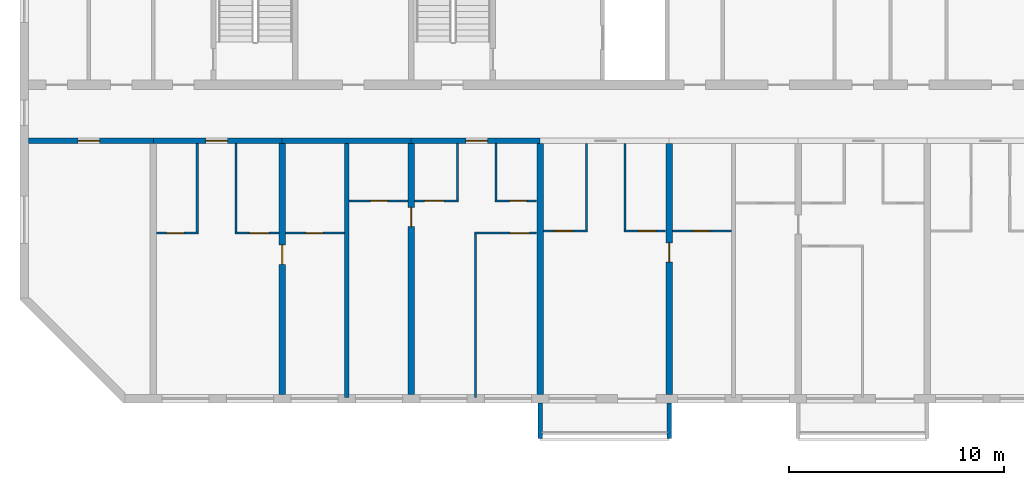
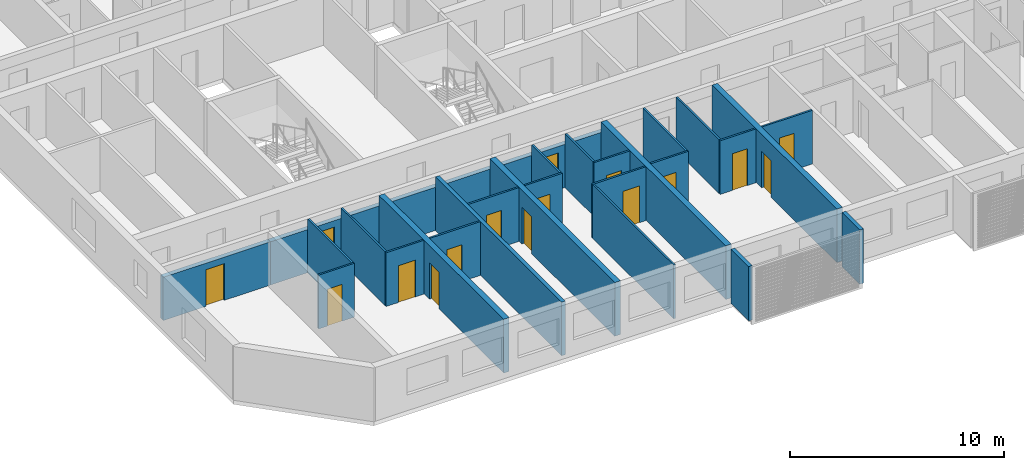
# One storey, part 2 of 32: 28 walls, 16 doors, 16 openings.
"""IFC4 building model written with IfcOpenShell, lengths in metres."""

from ifc_helpers import new_model, si_unit, direction, frame, frame_2d, origin, place, context, subcontext, project, spatial, polyline, rectangle, outline, extrude, source, transform, mapped, material, layer, layer_set, type_object, element, fill, save


model = new_model("IFC4")

# Units and contexts
model_context = context("Model", 3, precision=1e-05, world=origin(), true_north=direction((0.0, 1.0)))
body_context = subcontext(model_context, "Body", "Model", "MODEL_VIEW")
ifc_project = project(units=[si_unit("LENGTHUNIT", "METRE"), si_unit("AREAUNIT", "SQUARE_METRE"), si_unit("VOLUMEUNIT", "CUBIC_METRE"), si_unit("PLANEANGLEUNIT", "RADIAN"), si_unit("MASSUNIT", "GRAM", prefix="KILO")], contexts=[model_context])

# Site, building, storey
site_placement = place(None, origin())
site = spatial("IfcSite", under=ifc_project, at=site_placement, CompositionType="ELEMENT")
building_placement = place(site_placement, origin())
building = spatial("IfcBuilding", under=site, at=building_placement, Name="Poui Terraces", CompositionType="ELEMENT")
storey_placement = place(building_placement, frame((0.0, 0.0, 125.699951171875)))
storey = spatial("IfcBuildingStorey", under=building, at=storey_placement, Name="L34", CompositionType="ELEMENT", Elevation=125.699951171875)

# Wall, opening, door
ifc_material_1 = material(Name="Concrete 65 MPa", Category="concrete")
ifc_layer_1 = layer(ifc_material_1, 0.25)
ifc_layer_set_1 = layer_set([ifc_layer_1], Name="Concrete 65 MPa")
wall_type_1 = type_object("IfcWallType", Name="CORRIDOR WALL 250 65MPa", PredefinedType="SHEAR", material=ifc_layer_set_1)
wall_1_placement = place(storey_placement, frame((12.199951171875, 12.0, 0.0), z_axis=(0.0, 0.0, 1.0), x_axis=(1.0, 0.0, 0.0)))
wall_1 = element("IfcWall", 1, at=wall_1_placement, inside=storey, type_object=wall_type_1, Name="CORRIDOR WALL LINE B BAY 1", PredefinedType="SHEAR", context=body_context, shape_type="SweptSolid", body=[
    extrude(rectangle(XDim=5.800048828125, YDim=0.25, at=frame_2d((2.89990234375, 0.0))), origin(), (0.0, 0.0, 1.0), 2.469970703125),
])
opening_1_placement = place(wall_1_placement, frame((2.300048828125, 0.0, 0.0)))
opening_1 = element("IfcOpeningElement", 2, at=opening_1_placement, cuts=wall_1, Name="Opening D100", PredefinedType="OPENING", context=body_context, shape_type="SweptSolid", body=[
    extrude(rectangle(XDim=1.0, YDim=2.10009765625, at=frame_2d((0.5, 1.050048828125))), frame((0.0, 0.135009765625, 0.0), z_axis=(0.0, -1.0, 0.0), x_axis=(1.0, 0.0, 0.0)), (0.0, 0.0, 1.0), 0.27001953125),
])
ifc_material_2 = material(Name="Solid core timber door", Category="wood")
door_type_1 = type_object("IfcDoorType", Name="ACCESSIBLE INTERNAL DOOR 1000 X 2100", OperationType="NOTDEFINED", PredefinedType="DOOR", material=ifc_material_2)
door_1_placement = place(opening_1_placement, frame((1.0, 0.0, 0.0), z_axis=(0.0, 0.0, 1.0), x_axis=(-1.0, 0.0, 0.0)))
door_1 = element("IfcDoor", 3, at=door_1_placement, inside=storey, type_object=door_type_1, Name="ACCESSIBLE INTERNAL DOOR 078", OperationType="SINGLE_SWING_RIGHT", OverallHeight=2.10009765625, OverallWidth=1.0, PredefinedType="DOOR", context=body_context, shape_type="SweptSolid", body=[
    extrude(rectangle(XDim=1.0, YDim=2.10009765625, at=frame_2d((0.5, 1.050048828125))), frame((0.0, 0.02490234375, 0.0), z_axis=(0.0, -1.0, 0.0), x_axis=(1.0, 0.0, 0.0)), (0.0, 0.0, 1.0), 0.050048828125),
])
fill(opening_1, door_1)

wall_2_placement = place(storey_placement, frame((18.0, 12.0, 0.0), z_axis=(0.0, 0.0, 1.0), x_axis=(1.0, 0.0, 0.0)))
wall_2 = element("IfcWall", 4, at=wall_2_placement, inside=storey, type_object=wall_type_1, Name="CORRIDOR WALL LINE B BAY 2", PredefinedType="SHEAR", context=body_context, shape_type="SweptSolid", body=[
    extrude(rectangle(XDim=6.0, YDim=0.25, at=frame_2d((3.0, 0.0))), origin(), (0.0, 0.0, 1.0), 2.469970703125),
])
opening_2_placement = place(wall_2_placement, frame((2.449951171875, 0.0, 0.0)))
opening_2 = element("IfcOpeningElement", 5, at=opening_2_placement, cuts=wall_2, Name="Opening FD30S", PredefinedType="OPENING", context=body_context, shape_type="SweptSolid", body=[
    extrude(rectangle(XDim=1.0, YDim=2.10009765625, at=frame_2d((0.5, 1.050048828125))), frame((0.0, 0.135009765625, 0.0), z_axis=(0.0, -1.0, 0.0), x_axis=(1.0, 0.0, 0.0)), (0.0, 0.0, 1.0), 0.27001953125),
])
ifc_material_3 = material(Name="Steel fire door", Category="steel")
door_type_2 = type_object("IfcDoorType", Name="FLAT ENTRANCE DOOR 1000 X 2100", OperationType="NOTDEFINED", PredefinedType="DOOR", material=ifc_material_3)
door_2_placement = place(opening_2_placement, frame((1.0, 0.0, 0.0), z_axis=(0.0, 0.0, 1.0), x_axis=(-1.0, 0.0, 0.0)))
door_2 = element("IfcDoor", 6, at=door_2_placement, inside=storey, type_object=door_type_2, Name="FLAT ENTRANCE DOOR 081", OperationType="SINGLE_SWING_RIGHT", OverallHeight=2.10009765625, OverallWidth=1.0, PredefinedType="DOOR", context=body_context, shape_type="SweptSolid", body=[
    extrude(rectangle(XDim=1.0, YDim=2.10009765625, at=frame_2d((0.5, 1.050048828125))), frame((0.0, 0.02490234375, 0.0), z_axis=(0.0, -1.0, 0.0), x_axis=(1.0, 0.0, 0.0)), (0.0, 0.0, 1.0), 0.050048828125),
])
fill(opening_2, door_2)

# Wall
wall_3_placement = place(storey_placement, frame((24.0, 12.0, 0.0), z_axis=(0.0, 0.0, 1.0), x_axis=(1.0, 0.0, 0.0)))
element("IfcWall", 7, at=wall_3_placement, inside=storey, type_object=wall_type_1, Name="CORRIDOR WALL LINE B BAY 3", PredefinedType="SHEAR", context=body_context, shape_type="SweptSolid", body=[
    extrude(rectangle(XDim=6.0, YDim=0.25, at=frame_2d((3.0, 0.0))), origin(), (0.0, 0.0, 1.0), 2.469970703125),
])

# Wall, opening, door
wall_4_placement = place(storey_placement, frame((30.0, 12.0, 0.0), z_axis=(0.0, 0.0, 1.0), x_axis=(1.0, 0.0, 0.0)))
wall_4 = element("IfcWall", 8, at=wall_4_placement, inside=storey, type_object=wall_type_1, Name="CORRIDOR WALL LINE B BAY 4", PredefinedType="SHEAR", context=body_context, shape_type="SweptSolid", body=[
    extrude(rectangle(XDim=6.0, YDim=0.25, at=frame_2d((3.0, 0.0))), origin(), (0.0, 0.0, 1.0), 2.469970703125),
])
opening_3_placement = place(wall_4_placement, frame((2.550048828125, 0.0, 0.0)))
opening_3 = element("IfcOpeningElement", 9, at=opening_3_placement, cuts=wall_4, Name="Opening FD30S", PredefinedType="OPENING", context=body_context, shape_type="SweptSolid", body=[
    extrude(rectangle(XDim=1.0, YDim=2.10009765625, at=frame_2d((0.5, 1.050048828125))), frame((0.0, 0.135009765625, 0.0), z_axis=(0.0, -1.0, 0.0), x_axis=(1.0, 0.0, 0.0)), (0.0, 0.0, 1.0), 0.27001953125),
])
door_3_placement = place(opening_3_placement, frame((1.0, 0.0, 0.0), z_axis=(0.0, 0.0, 1.0), x_axis=(-1.0, 0.0, 0.0)))
door_3 = element("IfcDoor", 10, at=door_3_placement, inside=storey, type_object=door_type_2, Name="FLAT ENTRANCE DOOR 087", OperationType="SINGLE_SWING_LEFT", OverallHeight=2.10009765625, OverallWidth=1.0, PredefinedType="DOOR", context=body_context, shape_type="SweptSolid", body=[
    extrude(rectangle(XDim=1.0, YDim=2.10009765625, at=frame_2d((0.5, 1.050048828125))), frame((0.0, 0.02490234375, 0.0), z_axis=(0.0, -1.0, 0.0), x_axis=(1.0, 0.0, 0.0)), (0.0, 0.0, 1.0), 0.050048828125),
])
fill(opening_3, door_3)

ifc_layer_2 = layer(ifc_material_1, 0.300048828125)
ifc_layer_set_2 = layer_set([ifc_layer_2], Name="Concrete 65 MPa")
wall_type_2 = type_object("IfcWallType", Name="CROSS WALL 300 65MPa", PredefinedType="SHEAR", material=ifc_layer_set_2)
wall_5_placement = place(storey_placement, frame((24.0, 0.199951171875, 0.0), z_axis=(0.0, 0.0, 1.0), x_axis=(0.0, 1.0, 0.0)))
wall_5 = element("IfcWall", 11, at=wall_5_placement, inside=storey, type_object=wall_type_2, Name="CROSS WALL LINE 5 SOUTH", PredefinedType="SHEAR", context=body_context, shape_type="SweptSolid", body=[
    extrude(rectangle(XDim=11.675048828125, YDim=0.300048828125, at=frame_2d((5.83740234375, 0.0))), origin(), (0.0, 0.0, 1.0), 3.070068359375),
])
opening_4_placement = place(wall_5_placement, frame((6.050048828125, 0.0, 0.0)))
opening_4 = element("IfcOpeningElement", 12, at=opening_4_placement, cuts=wall_5, Name="Opening D90", PredefinedType="OPENING", context=body_context, shape_type="SweptSolid", body=[
    extrude(rectangle(XDim=0.89990234375, YDim=2.10009765625, at=frame_2d((0.449951171875, 1.050048828125))), frame((0.0, 0.16015625, 0.0), z_axis=(0.0, -1.0, 0.0), x_axis=(1.0, 0.0, 0.0)), (0.0, 0.0, 1.0), 0.320068359375),
])
door_type_3 = type_object("IfcDoorType", Name="INTERNAL DOOR 900 X 2100", OperationType="NOTDEFINED", PredefinedType="DOOR", material=ifc_material_2)
door_4_placement = place(opening_4_placement, frame((0.89990234375, 0.0, 0.0), z_axis=(0.0, 0.0, 1.0), x_axis=(-1.0, 0.0, 0.0)))
door_4 = element("IfcDoor", 13, at=door_4_placement, inside=storey, type_object=door_type_3, Name="INTERNAL DOOR 083", OperationType="SINGLE_SWING_LEFT", OverallHeight=2.10009765625, OverallWidth=0.89990234375, PredefinedType="DOOR", context=body_context, shape_type="SweptSolid", body=[
    extrude(rectangle(XDim=0.89990234375, YDim=2.10009765625, at=frame_2d((0.449951171875, 1.050048828125))), frame((0.0, 0.02490234375, 0.0), z_axis=(0.0, -1.0, 0.0), x_axis=(1.0, 0.0, 0.0)), (0.0, 0.0, 1.0), 0.050048828125),
])
fill(opening_4, door_4)

wall_6_placement = place(storey_placement, frame((30.0, 0.199951171875, 0.0), z_axis=(0.0, 0.0, 1.0), x_axis=(0.0, 1.0, 0.0)))
wall_6 = element("IfcWall", 14, at=wall_6_placement, inside=storey, type_object=wall_type_2, Name="CROSS WALL LINE 6 SOUTH", PredefinedType="SHEAR", context=body_context, shape_type="SweptSolid", body=[
    extrude(rectangle(XDim=11.675048828125, YDim=0.300048828125, at=frame_2d((5.83740234375, 0.0))), origin(), (0.0, 0.0, 1.0), 3.070068359375),
])
opening_5_placement = place(wall_6_placement, frame((7.800048828125, 0.0, 0.0)))
opening_5 = element("IfcOpeningElement", 15, at=opening_5_placement, cuts=wall_6, Name="Opening D90", PredefinedType="OPENING", context=body_context, shape_type="SweptSolid", body=[
    extrude(rectangle(XDim=0.89990234375, YDim=2.10009765625, at=frame_2d((0.449951171875, 1.050048828125))), frame((0.0, 0.16015625, 0.0), z_axis=(0.0, -1.0, 0.0), x_axis=(1.0, 0.0, 0.0)), (0.0, 0.0, 1.0), 0.320068359375),
])
door_5_placement = place(opening_5_placement, origin())
door_5 = element("IfcDoor", 16, at=door_5_placement, inside=storey, type_object=door_type_3, Name="INTERNAL DOOR 085", OperationType="SINGLE_SWING_RIGHT", OverallHeight=2.10009765625, OverallWidth=0.89990234375, PredefinedType="DOOR", context=body_context, shape_type="SweptSolid", body=[
    extrude(rectangle(XDim=0.89990234375, YDim=2.10009765625, at=frame_2d((0.449951171875, 1.050048828125))), frame((0.0, 0.02490234375, 0.0), z_axis=(0.0, -1.0, 0.0), x_axis=(1.0, 0.0, 0.0)), (0.0, 0.0, 1.0), 0.050048828125),
])
fill(opening_5, door_5)

# Wall
wall_7_placement = place(storey_placement, frame((36.0, 0.199951171875, 0.0), z_axis=(0.0, 0.0, 1.0), x_axis=(0.0, 1.0, 0.0)))
element("IfcWall", 17, at=wall_7_placement, inside=storey, type_object=wall_type_2, Name="CROSS WALL LINE 7 SOUTH", PredefinedType="SHEAR", context=body_context, shape_type="SweptSolid", body=[
    extrude(rectangle(XDim=11.675048828125, YDim=0.300048828125, at=frame_2d((5.83740234375, 0.0))), origin(), (0.0, 0.0, 1.0), 3.070068359375),
])

# Wall, opening, door
wall_8_placement = place(storey_placement, frame((42.0, 0.199951171875, 0.0), z_axis=(0.0, 0.0, 1.0), x_axis=(0.0, 1.0, 0.0)))
wall_8 = element("IfcWall", 18, at=wall_8_placement, inside=storey, type_object=wall_type_2, Name="CROSS WALL LINE 8 SOUTH", PredefinedType="SHEAR", context=body_context, shape_type="SweptSolid", body=[
    extrude(rectangle(XDim=11.675048828125, YDim=0.300048828125, at=frame_2d((5.83740234375, 0.0))), origin(), (0.0, 0.0, 1.0), 3.070068359375),
])
opening_6_placement = place(wall_8_placement, frame((6.14990234375, 0.0, 0.0)))
opening_6 = element("IfcOpeningElement", 19, at=opening_6_placement, cuts=wall_8, Name="Opening D90", PredefinedType="OPENING", context=body_context, shape_type="SweptSolid", body=[
    extrude(rectangle(XDim=0.89990234375, YDim=2.10009765625, at=frame_2d((0.449951171875, 1.050048828125))), frame((0.0, 0.16015625, 0.0), z_axis=(0.0, -1.0, 0.0), x_axis=(1.0, 0.0, 0.0)), (0.0, 0.0, 1.0), 0.320068359375),
])
door_6_placement = place(opening_6_placement, frame((0.89990234375, 0.0, 0.0), z_axis=(0.0, 0.0, 1.0), x_axis=(-1.0, 0.0, 0.0)))
door_6 = element("IfcDoor", 20, at=door_6_placement, inside=storey, type_object=door_type_3, Name="INTERNAL DOOR 094", OperationType="SINGLE_SWING_LEFT", OverallHeight=2.10009765625, OverallWidth=0.89990234375, PredefinedType="DOOR", context=body_context, shape_type="SweptSolid", body=[
    extrude(rectangle(XDim=0.89990234375, YDim=2.10009765625, at=frame_2d((0.449951171875, 1.050048828125))), frame((0.0, 0.02490234375, 0.0), z_axis=(0.0, -1.0, 0.0), x_axis=(1.0, 0.0, 0.0)), (0.0, 0.0, 1.0), 0.050048828125),
])
fill(opening_6, door_6)

ifc_material_4 = material(Name="Plasterboard partition")
ifc_layer_3 = layer(ifc_material_4, 0.10009765625)
ifc_layer_set_3 = layer_set([ifc_layer_3], Name="Plasterboard partition")
wall_type_3 = type_object("IfcWallType", Name="FLAT PARTITION 100", PredefinedType="PARTITIONING", material=ifc_layer_set_3)
wall_9_placement = place(storey_placement, frame((18.159912109375, 7.699951171875, 0.0), z_axis=(0.0, 0.0, 1.0), x_axis=(1.0, 0.0, 0.0)))
wall_9 = element("IfcWall", 21, at=wall_9_placement, inside=storey, type_object=wall_type_3, Name="FLAT PARTITION 100", PredefinedType="PARTITIONING", context=body_context, shape_type="SweptSolid", body=[
    extrude(rectangle(XDim=1.940185546875, YDim=0.10009765625, at=frame_2d((0.97021484375, 0.0))), origin(), (0.0, 0.0, 1.0), 3.070068359375),
])
opening_7_placement = place(wall_9_placement, frame((0.465087890625, 0.0, 0.0)))
opening_7 = element("IfcOpeningElement", 22, at=opening_7_placement, cuts=wall_9, Name="Opening D80", PredefinedType="OPENING", context=body_context, shape_type="SweptSolid", body=[
    extrude(rectangle(XDim=0.800048828125, YDim=2.10009765625, at=frame_2d((0.39990234375, 1.050048828125))), frame((0.0, 0.06005859375, 0.0), z_axis=(0.0, -1.0, 0.0), x_axis=(1.0, 0.0, 0.0)), (0.0, 0.0, 1.0), 0.1201171875),
])
door_type_4 = type_object("IfcDoorType", Name="BATHROOM, LAUNDRY AND STORE DOOR 800 X 2100", OperationType="NOTDEFINED", PredefinedType="DOOR", material=ifc_material_2)
door_7_placement = place(opening_7_placement, origin())
door_7 = element("IfcDoor", 23, at=door_7_placement, inside=storey, type_object=door_type_4, Name="BATHROOM, LAUNDRY AND STORE DOOR 080", OperationType="SINGLE_SWING_LEFT", OverallHeight=2.10009765625, OverallWidth=0.800048828125, PredefinedType="DOOR", context=body_context, shape_type="SweptSolid", body=[
    extrude(rectangle(XDim=0.800048828125, YDim=2.10009765625, at=frame_2d((0.39990234375, 1.050048828125))), frame((0.0, 0.02490234375, 0.0), z_axis=(0.0, -1.0, 0.0), x_axis=(1.0, 0.0, 0.0)), (0.0, 0.0, 1.0), 0.050048828125),
])
fill(opening_7, door_7)

wall_10_placement = place(storey_placement, frame((21.800048828125, 7.699951171875, 0.0), z_axis=(0.0, 0.0, 1.0), x_axis=(1.0, 0.0, 0.0)))
wall_10 = element("IfcWall", 24, at=wall_10_placement, inside=storey, type_object=wall_type_3, Name="FLAT PARTITION 100", PredefinedType="PARTITIONING", context=body_context, shape_type="SweptSolid", body=[
    extrude(rectangle(XDim=2.0400390625, YDim=0.10009765625, at=frame_2d((1.02001953125, 0.0))), origin(), (0.0, 0.0, 1.0), 3.070068359375),
])
opening_8_placement = place(wall_10_placement, frame((0.675048828125, 0.0, 0.0)))
opening_8 = element("IfcOpeningElement", 25, at=opening_8_placement, cuts=wall_10, Name="Opening D90", PredefinedType="OPENING", context=body_context, shape_type="SweptSolid", body=[
    extrude(rectangle(XDim=0.89990234375, YDim=2.10009765625, at=frame_2d((0.449951171875, 1.050048828125))), frame((0.0, 0.06005859375, 0.0), z_axis=(0.0, -1.0, 0.0), x_axis=(1.0, 0.0, 0.0)), (0.0, 0.0, 1.0), 0.1201171875),
])
door_8_placement = place(opening_8_placement, origin())
door_8 = element("IfcDoor", 26, at=door_8_placement, inside=storey, type_object=door_type_3, Name="INTERNAL DOOR 082", OperationType="SINGLE_SWING_RIGHT", OverallHeight=2.10009765625, OverallWidth=0.89990234375, PredefinedType="DOOR", context=body_context, shape_type="SweptSolid", body=[
    extrude(rectangle(XDim=0.89990234375, YDim=2.10009765625, at=frame_2d((0.449951171875, 1.050048828125))), frame((0.0, 0.02490234375, 0.0), z_axis=(0.0, -1.0, 0.0), x_axis=(1.0, 0.0, 0.0)), (0.0, 0.0, 1.0), 0.050048828125),
])
fill(opening_8, door_8)

wall_11_placement = place(storey_placement, frame((24.159912109375, 7.699951171875, 0.0), z_axis=(0.0, 0.0, 1.0), x_axis=(1.0, 0.0, 0.0)))
wall_11 = element("IfcWall", 27, at=wall_11_placement, inside=storey, type_object=wall_type_3, Name="FLAT PARTITION 100", PredefinedType="PARTITIONING", context=body_context, shape_type="SweptSolid", body=[
    extrude(rectangle(XDim=2.739990234375, YDim=0.10009765625, at=frame_2d((1.3701171875, 0.0))), origin(), (0.0, 0.0, 1.0), 3.070068359375),
])
opening_9_placement = place(wall_11_placement, frame((0.93994140625, 0.0, 0.0)))
opening_9 = element("IfcOpeningElement", 28, at=opening_9_placement, cuts=wall_11, Name="Opening D80", PredefinedType="OPENING", context=body_context, shape_type="SweptSolid", body=[
    extrude(rectangle(XDim=0.800048828125, YDim=2.10009765625, at=frame_2d((0.39990234375, 1.050048828125))), frame((0.0, 0.06005859375, 0.0), z_axis=(0.0, -1.0, 0.0), x_axis=(1.0, 0.0, 0.0)), (0.0, 0.0, 1.0), 0.1201171875),
])
door_9_placement = place(opening_9_placement, origin())
door_9 = element("IfcDoor", 29, at=door_9_placement, inside=storey, type_object=door_type_4, Name="BATHROOM, LAUNDRY AND STORE DOOR 079", OperationType="SINGLE_SWING_RIGHT", OverallHeight=2.10009765625, OverallWidth=0.800048828125, PredefinedType="DOOR", context=body_context, shape_type="SweptSolid", body=[
    extrude(rectangle(XDim=0.800048828125, YDim=2.10009765625, at=frame_2d((0.39990234375, 1.050048828125))), frame((0.0, 0.02490234375, 0.0), z_axis=(0.0, -1.0, 0.0), x_axis=(1.0, 0.0, 0.0)), (0.0, 0.0, 1.0), 0.050048828125),
])
fill(opening_9, door_9)

wall_12_placement = place(storey_placement, frame((32.949951171875, 7.699951171875, 0.0), z_axis=(0.0, 0.0, 1.0), x_axis=(1.0, 0.0, 0.0)))
wall_12 = element("IfcWall", 30, at=wall_12_placement, inside=storey, type_object=wall_type_3, Name="FLAT PARTITION 100", PredefinedType="PARTITIONING", context=body_context, shape_type="SweptSolid", body=[
    extrude(rectangle(XDim=2.89013671875, YDim=0.10009765625, at=frame_2d((1.445068359375, 0.0))), origin(), (0.0, 0.0, 1.0), 3.070068359375),
])
opening_10_placement = place(wall_12_placement, frame((1.64990234375, 0.0, 0.0)))
opening_10 = element("IfcOpeningElement", 31, at=opening_10_placement, cuts=wall_12, Name="Opening D90", PredefinedType="OPENING", context=body_context, shape_type="SweptSolid", body=[
    extrude(rectangle(XDim=0.89990234375, YDim=2.10009765625, at=frame_2d((0.449951171875, 1.050048828125))), frame((0.0, 0.06005859375, 0.0), z_axis=(0.0, -1.0, 0.0), x_axis=(1.0, 0.0, 0.0)), (0.0, 0.0, 1.0), 0.1201171875),
])
door_10_placement = place(opening_10_placement, origin())
door_10 = element("IfcDoor", 32, at=door_10_placement, inside=storey, type_object=door_type_3, Name="INTERNAL DOOR 089", OperationType="SINGLE_SWING_LEFT", OverallHeight=2.10009765625, OverallWidth=0.89990234375, PredefinedType="DOOR", context=body_context, shape_type="SweptSolid", body=[
    extrude(rectangle(XDim=0.89990234375, YDim=2.10009765625, at=frame_2d((0.449951171875, 1.050048828125))), frame((0.0, 0.02490234375, 0.0), z_axis=(0.0, -1.0, 0.0), x_axis=(1.0, 0.0, 0.0)), (0.0, 0.0, 1.0), 0.050048828125),
])
fill(opening_10, door_10)

wall_13_placement = place(storey_placement, frame((36.159912109375, 7.800048828125, 0.0), z_axis=(0.0, 0.0, 1.0), x_axis=(1.0, 0.0, 0.0)))
wall_13 = element("IfcWall", 33, at=wall_13_placement, inside=storey, type_object=wall_type_3, Name="FLAT PARTITION 100", PredefinedType="PARTITIONING", context=body_context, shape_type="SweptSolid", body=[
    extrude(rectangle(XDim=2.0400390625, YDim=0.10009765625, at=frame_2d((1.02001953125, 0.0))), origin(), (0.0, 0.0, 1.0), 3.070068359375),
])
opening_11_placement = place(wall_13_placement, frame((0.465087890625, 0.0, 0.0)))
opening_11 = element("IfcOpeningElement", 34, at=opening_11_placement, cuts=wall_13, Name="Opening D90", PredefinedType="OPENING", context=body_context, shape_type="SweptSolid", body=[
    extrude(rectangle(XDim=0.89990234375, YDim=2.10009765625, at=frame_2d((0.449951171875, 1.050048828125))), frame((0.0, 0.06005859375, 0.0), z_axis=(0.0, -1.0, 0.0), x_axis=(1.0, 0.0, 0.0)), (0.0, 0.0, 1.0), 0.1201171875),
])
door_11_placement = place(opening_11_placement, origin())
door_11 = element("IfcDoor", 35, at=door_11_placement, inside=storey, type_object=door_type_3, Name="INTERNAL DOOR 091", OperationType="SINGLE_SWING_LEFT", OverallHeight=2.10009765625, OverallWidth=0.89990234375, PredefinedType="DOOR", context=body_context, shape_type="SweptSolid", body=[
    extrude(rectangle(XDim=0.89990234375, YDim=2.10009765625, at=frame_2d((0.449951171875, 1.050048828125))), frame((0.0, 0.02490234375, 0.0), z_axis=(0.0, -1.0, 0.0), x_axis=(1.0, 0.0, 0.0)), (0.0, 0.0, 1.0), 0.050048828125),
])
fill(opening_11, door_11)

wall_14_placement = place(storey_placement, frame((39.89990234375, 7.800048828125, 0.0), z_axis=(0.0, 0.0, 1.0), x_axis=(1.0, 0.0, 0.0)))
wall_14 = element("IfcWall", 36, at=wall_14_placement, inside=storey, type_object=wall_type_3, Name="FLAT PARTITION 100", PredefinedType="PARTITIONING", context=body_context, shape_type="SweptSolid", body=[
    extrude(rectangle(XDim=1.940185546875, YDim=0.10009765625, at=frame_2d((0.97021484375, 0.0))), origin(), (0.0, 0.0, 1.0), 3.070068359375),
])
opening_12_placement = place(wall_14_placement, frame((0.675048828125, 0.0, 0.0)))
opening_12 = element("IfcOpeningElement", 37, at=opening_12_placement, cuts=wall_14, Name="Opening D80", PredefinedType="OPENING", context=body_context, shape_type="SweptSolid", body=[
    extrude(rectangle(XDim=0.800048828125, YDim=2.10009765625, at=frame_2d((0.39990234375, 1.050048828125))), frame((0.0, 0.06005859375, 0.0), z_axis=(0.0, -1.0, 0.0), x_axis=(1.0, 0.0, 0.0)), (0.0, 0.0, 1.0), 0.1201171875),
])
door_12_placement = place(opening_12_placement, origin())
door_12 = element("IfcDoor", 38, at=door_12_placement, inside=storey, type_object=door_type_4, Name="BATHROOM, LAUNDRY AND STORE DOOR 093", OperationType="SINGLE_SWING_RIGHT", OverallHeight=2.10009765625, OverallWidth=0.800048828125, PredefinedType="DOOR", context=body_context, shape_type="SweptSolid", body=[
    extrude(rectangle(XDim=0.800048828125, YDim=2.10009765625, at=frame_2d((0.39990234375, 1.050048828125))), frame((0.0, 0.02490234375, 0.0), z_axis=(0.0, -1.0, 0.0), x_axis=(1.0, 0.0, 0.0)), (0.0, 0.0, 1.0), 0.050048828125),
])
fill(opening_12, door_12)

wall_15_placement = place(storey_placement, frame((42.159912109375, 7.800048828125, 0.0), z_axis=(0.0, 0.0, 1.0), x_axis=(1.0, 0.0, 0.0)))
wall_15 = element("IfcWall", 39, at=wall_15_placement, inside=storey, type_object=wall_type_3, Name="FLAT PARTITION 100", PredefinedType="PARTITIONING", context=body_context, shape_type="SweptSolid", body=[
    extrude(rectangle(XDim=2.739990234375, YDim=0.10009765625, at=frame_2d((1.3701171875, 0.0))), origin(), (0.0, 0.0, 1.0), 3.070068359375),
])
opening_13_placement = place(wall_15_placement, frame((0.93994140625, 0.0, 0.0)))
opening_13 = element("IfcOpeningElement", 40, at=opening_13_placement, cuts=wall_15, Name="Opening D80", PredefinedType="OPENING", context=body_context, shape_type="SweptSolid", body=[
    extrude(rectangle(XDim=0.800048828125, YDim=2.10009765625, at=frame_2d((0.39990234375, 1.050048828125))), frame((0.0, 0.06005859375, 0.0), z_axis=(0.0, -1.0, 0.0), x_axis=(1.0, 0.0, 0.0)), (0.0, 0.0, 1.0), 0.1201171875),
])
door_13_placement = place(opening_13_placement, origin())
door_13 = element("IfcDoor", 41, at=door_13_placement, inside=storey, type_object=door_type_4, Name="BATHROOM, LAUNDRY AND STORE DOOR 090", OperationType="SINGLE_SWING_RIGHT", OverallHeight=2.10009765625, OverallWidth=0.800048828125, PredefinedType="DOOR", context=body_context, shape_type="SweptSolid", body=[
    extrude(rectangle(XDim=0.800048828125, YDim=2.10009765625, at=frame_2d((0.39990234375, 1.050048828125))), frame((0.0, 0.02490234375, 0.0), z_axis=(0.0, -1.0, 0.0), x_axis=(1.0, 0.0, 0.0)), (0.0, 0.0, 1.0), 0.050048828125),
])
fill(opening_13, door_13)

wall_16_placement = place(storey_placement, frame((27.10009765625, 9.199951171875, 0.0), z_axis=(0.0, 0.0, 1.0), x_axis=(1.0, 0.0, 0.0)))
wall_16 = element("IfcWall", 42, at=wall_16_placement, inside=storey, type_object=wall_type_3, Name="FLAT PARTITION 100", PredefinedType="PARTITIONING", context=body_context, shape_type="SweptSolid", body=[
    extrude(rectangle(XDim=2.739990234375, YDim=0.10009765625, at=frame_2d((1.3701171875, 0.0))), origin(), (0.0, 0.0, 1.0), 3.070068359375),
])
opening_14_placement = place(wall_16_placement, frame((1.0, 0.0, 0.0)))
opening_14 = element("IfcOpeningElement", 43, at=opening_14_placement, cuts=wall_16, Name="Opening D80", PredefinedType="OPENING", context=body_context, shape_type="SweptSolid", body=[
    extrude(rectangle(XDim=0.800048828125, YDim=2.10009765625, at=frame_2d((0.39990234375, 1.050048828125))), frame((0.0, 0.06005859375, 0.0), z_axis=(0.0, -1.0, 0.0), x_axis=(1.0, 0.0, 0.0)), (0.0, 0.0, 1.0), 0.1201171875),
])
door_14_placement = place(opening_14_placement, origin())
door_14 = element("IfcDoor", 44, at=door_14_placement, inside=storey, type_object=door_type_4, Name="BATHROOM, LAUNDRY AND STORE DOOR 084", OperationType="SINGLE_SWING_LEFT", OverallHeight=2.10009765625, OverallWidth=0.800048828125, PredefinedType="DOOR", context=body_context, shape_type="SweptSolid", body=[
    extrude(rectangle(XDim=0.800048828125, YDim=2.10009765625, at=frame_2d((0.39990234375, 1.050048828125))), frame((0.0, 0.02490234375, 0.0), z_axis=(0.0, -1.0, 0.0), x_axis=(1.0, 0.0, 0.0)), (0.0, 0.0, 1.0), 0.050048828125),
])
fill(opening_14, door_14)

wall_17_placement = place(storey_placement, frame((30.159912109375, 9.199951171875, 0.0), z_axis=(0.0, 0.0, 1.0), x_axis=(1.0, 0.0, 0.0)))
wall_17 = element("IfcWall", 45, at=wall_17_placement, inside=storey, type_object=wall_type_3, Name="FLAT PARTITION 100", PredefinedType="PARTITIONING", context=body_context, shape_type="SweptSolid", body=[
    extrude(rectangle(XDim=2.0400390625, YDim=0.10009765625, at=frame_2d((1.02001953125, 0.0))), origin(), (0.0, 0.0, 1.0), 3.070068359375),
])
opening_15_placement = place(wall_17_placement, frame((0.465087890625, 0.0, 0.0)))
opening_15 = element("IfcOpeningElement", 46, at=opening_15_placement, cuts=wall_17, Name="Opening D90", PredefinedType="OPENING", context=body_context, shape_type="SweptSolid", body=[
    extrude(rectangle(XDim=0.89990234375, YDim=2.10009765625, at=frame_2d((0.449951171875, 1.050048828125))), frame((0.0, 0.06005859375, 0.0), z_axis=(0.0, -1.0, 0.0), x_axis=(1.0, 0.0, 0.0)), (0.0, 0.0, 1.0), 0.1201171875),
])
door_15_placement = place(opening_15_placement, origin())
door_15 = element("IfcDoor", 47, at=door_15_placement, inside=storey, type_object=door_type_3, Name="INTERNAL DOOR 086", OperationType="SINGLE_SWING_LEFT", OverallHeight=2.10009765625, OverallWidth=0.89990234375, PredefinedType="DOOR", context=body_context, shape_type="SweptSolid", body=[
    extrude(rectangle(XDim=0.89990234375, YDim=2.10009765625, at=frame_2d((0.449951171875, 1.050048828125))), frame((0.0, 0.02490234375, 0.0), z_axis=(0.0, -1.0, 0.0), x_axis=(1.0, 0.0, 0.0)), (0.0, 0.0, 1.0), 0.050048828125),
])
fill(opening_15, door_15)

wall_18_placement = place(storey_placement, frame((33.89990234375, 9.199951171875, 0.0), z_axis=(0.0, 0.0, 1.0), x_axis=(1.0, 0.0, 0.0)))
wall_18 = element("IfcWall", 48, at=wall_18_placement, inside=storey, type_object=wall_type_3, Name="FLAT PARTITION 100", PredefinedType="PARTITIONING", context=body_context, shape_type="SweptSolid", body=[
    extrude(rectangle(XDim=1.940185546875, YDim=0.10009765625, at=frame_2d((0.97021484375, 0.0))), origin(), (0.0, 0.0, 1.0), 3.070068359375),
])
opening_16_placement = place(wall_18_placement, frame((0.675048828125, 0.0, 0.0)))
opening_16 = element("IfcOpeningElement", 49, at=opening_16_placement, cuts=wall_18, Name="Opening D80", PredefinedType="OPENING", context=body_context, shape_type="SweptSolid", body=[
    extrude(rectangle(XDim=0.800048828125, YDim=2.10009765625, at=frame_2d((0.39990234375, 1.050048828125))), frame((0.0, 0.06005859375, 0.0), z_axis=(0.0, -1.0, 0.0), x_axis=(1.0, 0.0, 0.0)), (0.0, 0.0, 1.0), 0.1201171875),
])
door_16_placement = place(opening_16_placement, origin())
door_16 = element("IfcDoor", 50, at=door_16_placement, inside=storey, type_object=door_type_4, Name="BATHROOM, LAUNDRY AND STORE DOOR 088", OperationType="SINGLE_SWING_RIGHT", OverallHeight=2.10009765625, OverallWidth=0.800048828125, PredefinedType="DOOR", context=body_context, shape_type="SweptSolid", body=[
    extrude(rectangle(XDim=0.800048828125, YDim=2.10009765625, at=frame_2d((0.39990234375, 1.050048828125))), frame((0.0, 0.02490234375, 0.0), z_axis=(0.0, -1.0, 0.0), x_axis=(1.0, 0.0, 0.0)), (0.0, 0.0, 1.0), 0.050048828125),
])
fill(opening_16, door_16)

# Walls
for number, where, z_axis, x_axis, name in (
    (51, (20.050048828125, 7.75, 0.0), (0.0, 0.0, 1.0), (0.0, 1.0, 0.0), "FLAT PARTITION 100"),
    (52, (21.85009765625, 7.75, 0.0), (0.0, 0.0, 1.0), (0.0, 1.0, 0.0), "FLAT PARTITION 100"),
):
    element("IfcWall", number, at=place(storey_placement, frame(where, z_axis=z_axis, x_axis=x_axis)), inside=storey, type_object=wall_type_3, Name=name, PredefinedType="PARTITIONING", context=body_context, shape_type="SweptSolid", body=[
        extrude(rectangle(XDim=4.114990234375, YDim=0.10009765625, at=frame_2d((2.0576171875, 0.0))), origin(), (0.0, 0.0, 1.0), 3.070068359375),
    ])
wall_19_placement = place(storey_placement, frame((32.14990234375, 9.25, 0.0), z_axis=(0.0, 0.0, 1.0), x_axis=(0.0, 1.0, 0.0)))
element("IfcWall", 53, at=wall_19_placement, inside=storey, type_object=wall_type_3, Name="FLAT PARTITION 100", PredefinedType="PARTITIONING", context=body_context, shape_type="SweptSolid", body=[
    extrude(rectangle(XDim=2.614990234375, YDim=0.10009765625, at=frame_2d((1.3076171875, 0.0))), origin(), (0.0, 0.0, 1.0), 3.070068359375),
])
wall_20_placement = place(storey_placement, frame((33.0, 0.06005859375, 0.0), z_axis=(0.0, 0.0, 1.0), x_axis=(0.0, 1.0, 0.0)))
element("IfcWall", 54, at=wall_20_placement, inside=storey, type_object=wall_type_3, Name="FLAT PARTITION 100", PredefinedType="PARTITIONING", context=body_context, shape_type="SweptSolid", body=[
    extrude(rectangle(XDim=7.58984375, YDim=0.10009765625, at=frame_2d((3.794921875, 0.0))), origin(), (0.0, 0.0, 1.0), 3.070068359375),
])
wall_21_placement = place(storey_placement, frame((33.949951171875, 9.25, 0.0), z_axis=(0.0, 0.0, 1.0), x_axis=(0.0, 1.0, 0.0)))
element("IfcWall", 55, at=wall_21_placement, inside=storey, type_object=wall_type_3, Name="FLAT PARTITION 100", PredefinedType="PARTITIONING", context=body_context, shape_type="SweptSolid", body=[
    extrude(rectangle(XDim=2.614990234375, YDim=0.10009765625, at=frame_2d((1.3076171875, 0.0))), origin(), (0.0, 0.0, 1.0), 3.070068359375),
])
for number, where, z_axis, x_axis, name in (
    (56, (38.14990234375, 7.85009765625, 0.0), (0.0, 0.0, 1.0), (0.0, 1.0, 0.0), "FLAT PARTITION 100"),
    (57, (39.949951171875, 7.85009765625, 0.0), (0.0, 0.0, 1.0), (0.0, 1.0, 0.0), "FLAT PARTITION 100"),
):
    element("IfcWall", number, at=place(storey_placement, frame(where, z_axis=z_axis, x_axis=x_axis)), inside=storey, type_object=wall_type_3, Name=name, PredefinedType="PARTITIONING", context=body_context, shape_type="SweptSolid", body=[
        extrude(rectangle(XDim=4.014892578125, YDim=0.10009765625, at=frame_2d((2.00732421875, 0.0))), origin(), (0.0, 0.0, 1.0), 3.070068359375),
    ])
ifc_material_5 = material(Name="Fire-rated masonry wall", Category="masonry")
ifc_layer_4 = layer(ifc_material_5, 0.199951171875)
ifc_layer_set_4 = layer_set([ifc_layer_4], Name="Fire-rated masonry wall")
wall_type_4 = type_object("IfcWallType", Name="FLAT PARTY WALL 200", PredefinedType="PARTITIONING", material=ifc_layer_set_4)
wall_22_placement = place(storey_placement, frame((27.0, 0.06005859375, 0.0), z_axis=(0.0, 0.0, 1.0), x_axis=(0.0, 1.0, 0.0)))
element("IfcWall", 58, at=wall_22_placement, inside=storey, type_object=wall_type_4, Name="FLAT PARTY WALL 200", PredefinedType="PARTITIONING", context=body_context, shape_type="SweptSolid", body=[
    extrude(rectangle(XDim=11.804931640625, YDim=0.199951171875, at=frame_2d((5.90234375, 0.0))), origin(), (0.0, 0.0, 1.0), 3.070068359375),
])
ifc_material_6 = material(Name="Precast concrete 40 MPa", Category="concrete")
ifc_layer_5 = layer(ifc_material_6, 0.199951171875)
ifc_layer_set_5 = layer_set([ifc_layer_5], Name="Precast concrete 40 MPa")
wall_type_5 = type_object("IfcWallType", Name="REAR FIN 200", PredefinedType="STANDARD", material=ifc_layer_set_5)
shared_shape = source(origin(), body_context, "Body", "SweptSolid", [
    extrude(outline(polyline([(0.0, 0.0), (0.2001953125, 0.0), (0.2001953125, 1.650146484375), (0.0, 1.650146484375), (0.0, 0.0)])), origin(), (0.0, 0.0, 1.0), 3.10009765625),
])
for number, where, name in (
    (59, (35.89990234375, -1.85009765625, 0.0), "REAR FIN"),
    (60, (41.89990234375, -1.85009765625, 0.0), "REAR FIN"),
):
    element("IfcWall", number, at=place(storey_placement, frame(where)), inside=storey, type_object=wall_type_5, Name=name, PredefinedType="STANDARD", context=body_context, shape_type="MappedRepresentation", body=[
        mapped(shared_shape, transform((0.0, 0.0, 0.0))),
    ])

save(model, "model.ifc")
